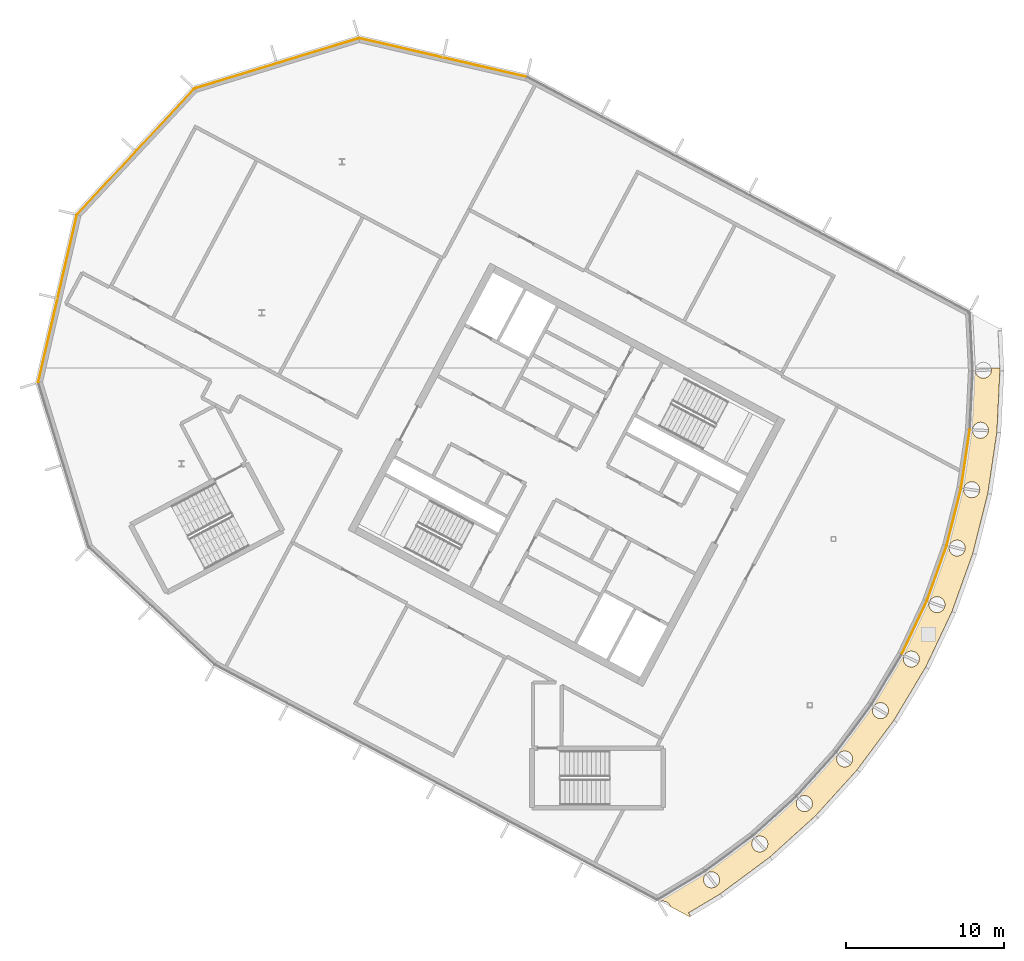
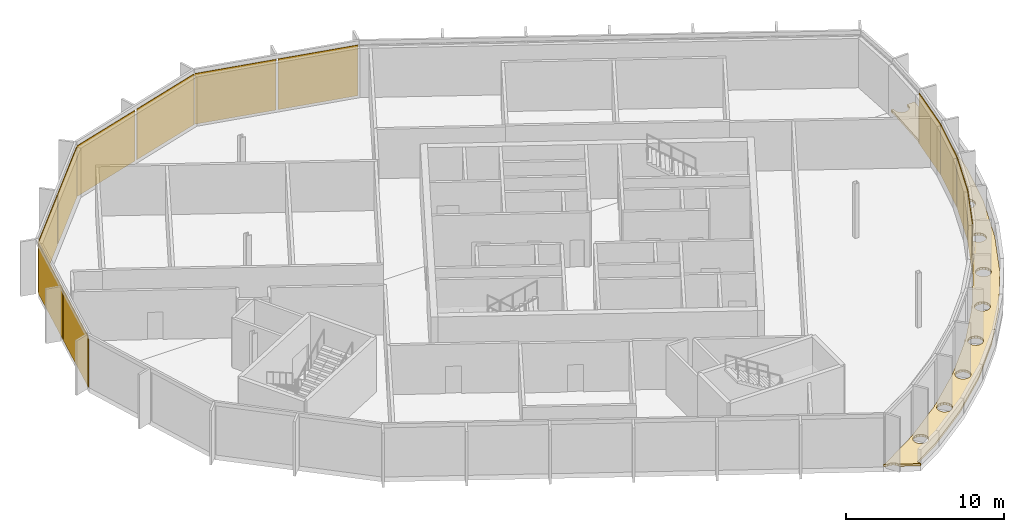
# One storey, part 14 of 16: 13 coverings, 8 elements without a shape of their own.
"""IFC4 building model written with IfcOpenShell, lengths in metres."""

from ifc_helpers import new_model, si_unit, direction, frame, origin, origin_2d, place, context, subcontext, project, spatial, polyline, rectangle, outline, extrude, material, layer, layer_set, type_object, element, aggregate, save


model = new_model("IFC4")

# Units and contexts
model_context = context("Model", 3, precision=1e-05, world=origin(), true_north=direction((0.0, 1.0)))
body_context = subcontext(model_context, "Body", "Model", "MODEL_VIEW")
ifc_project = project(units=[si_unit("LENGTHUNIT", "METRE"), si_unit("AREAUNIT", "SQUARE_METRE"), si_unit("VOLUMEUNIT", "CUBIC_METRE"), si_unit("PLANEANGLEUNIT", "RADIAN"), si_unit("MASSUNIT", "GRAM", prefix="KILO")], contexts=[model_context])

# Site, building, storey
site_placement = place(None, origin())
site = spatial("IfcSite", under=ifc_project, at=site_placement, CompositionType="ELEMENT")
building_placement = place(site_placement, origin())
building = spatial("IfcBuilding", under=site, at=building_placement, Name="Cormorant Relay Tower", CompositionType="ELEMENT")
storey_placement = place(building_placement, frame((0.0, 0.0, 345.0)))
storey = spatial("IfcBuildingStorey", under=building, at=storey_placement, Name="C5", CompositionType="ELEMENT", Elevation=345.0)

# Curtain wall, covering
ifc_material_1 = material(Name="Aluminium 6063-T6 anodised bronze", Category="aluminium")
ifc_layer_1 = layer(ifc_material_1, 0.199951171875)
ifc_layer_set_1 = layer_set([ifc_layer_1], Name="CW3 crown screen wall")
curtain_wall_type = type_object("IfcCurtainWallType", Name="CW3 crown screen wall", PredefinedType="NOTDEFINED", material=ifc_layer_set_1)
curtain_wall_1_placement = place(storey_placement, origin())
curtain_wall_1 = element("IfcCurtainWall", 1, at=curtain_wall_1_placement, inside=storey, type_object=curtain_wall_type, Name="CW3 curtain wall 8", PredefinedType="NOTDEFINED")
ifc_material_2 = material(Name="Perforated bronze anodised aluminium screen", Category="aluminium")
ifc_layer_2 = layer(ifc_material_2, 0.0400390625)
ifc_layer_set_2 = layer_set([ifc_layer_2], Name="CW3 perforated bronze screen panel 40")
covering_type_1 = type_object("IfcCoveringType", Name="CW3 perforated bronze screen panel 40", PredefinedType="CLADDING", material=ifc_layer_set_2)
covering_1_placement = place(storey_placement, frame((-5.38818359375, 4.924072265625, 0.0), z_axis=(0.0, 0.0, 1.0), x_axis=(0.42755509343, 0.903989293123, 0.0)))
covering_1 = element("IfcCovering", 2, at=covering_1_placement, type_object=covering_type_1, Name="CW3 panel X00", PredefinedType="CLADDING", context=body_context, shape_type="SweptSolid", body=[
    extrude(rectangle(XDim=3.654052734375, YDim=0.0400390625, at=origin_2d()), origin(), (0.0, 0.0, 1.0), 3.89990234375),
])
aggregate(curtain_wall_1, [covering_1])

curtain_wall_2_placement = place(storey_placement, origin())
curtain_wall_2 = element("IfcCurtainWall", 3, at=curtain_wall_2_placement, inside=storey, type_object=curtain_wall_type, Name="CW3 curtain wall 9", PredefinedType="NOTDEFINED")
covering_2_placement = place(storey_placement, frame((-3.965576171875, 8.368408203125, 0.0), z_axis=(0.0, 0.0, 1.0), x_axis=(0.336889853392, 0.941544065183, 0.0)))
covering_2 = element("IfcCovering", 4, at=covering_2_placement, type_object=covering_type_1, Name="CW3 panel X00", PredefinedType="CLADDING", context=body_context, shape_type="SweptSolid", body=[
    extrude(rectangle(XDim=3.654052734375, YDim=0.0400390625, at=origin_2d()), origin(), (0.0, 0.0, 1.0), 3.89990234375),
])
aggregate(curtain_wall_2, [covering_2])

curtain_wall_3_placement = place(storey_placement, origin())
curtain_wall_3 = element("IfcCurtainWall", 5, at=curtain_wall_3_placement, inside=storey, type_object=curtain_wall_type, Name="CW3 curtain wall 10", PredefinedType="NOTDEFINED")
covering_3_placement = place(storey_placement, frame((-2.88720703125, 11.935546875, 0.0), z_axis=(0.0, 0.0, 1.0), x_axis=(0.242980179903, 0.970031253195, 0.0)))
covering_3 = element("IfcCovering", 6, at=covering_3_placement, type_object=covering_type_1, Name="CW3 panel X00", PredefinedType="CLADDING", context=body_context, shape_type="SweptSolid", body=[
    extrude(rectangle(XDim=3.654052734375, YDim=0.0400390625, at=origin_2d()), origin(), (0.0, 0.0, 1.0), 3.89990234375),
])
aggregate(curtain_wall_3, [covering_3])

curtain_wall_4_placement = place(storey_placement, origin())
curtain_wall_4 = element("IfcCurtainWall", 7, at=curtain_wall_4_placement, inside=storey, type_object=curtain_wall_type, Name="CW3 curtain wall 11", PredefinedType="NOTDEFINED")
covering_4_placement = place(storey_placement, frame((-2.163818359375, 15.59130859375, 0.0), z_axis=(0.0, 0.0, 1.0), x_axis=(0.146730474455, 0.989176509965, 0.0)))
covering_4 = element("IfcCovering", 8, at=covering_4_placement, type_object=covering_type_1, Name="CW3 panel X00", PredefinedType="CLADDING", context=body_context, shape_type="SweptSolid", body=[
    extrude(rectangle(XDim=3.654052734375, YDim=0.0400390625, at=origin_2d()), origin(), (0.0, 0.0, 1.0), 3.89990234375),
])
aggregate(curtain_wall_4, [covering_4])

# Curtain wall, coverings
curtain_wall_5_placement = place(storey_placement, origin())
curtain_wall_5 = element("IfcCurtainWall", 9, at=curtain_wall_5_placement, inside=storey, type_object=curtain_wall_type, Name="CW3 curtain wall 15", PredefinedType="NOTDEFINED")
covering_5_placement = place(storey_placement, frame((-32.51708984375, 40.298828125, 0.0), z_axis=(0.0, 0.0, 1.0), x_axis=(-0.974370064785, 0.224951054344, 0.0)))
covering_5 = element("IfcCovering", 10, at=covering_5_placement, type_object=covering_type_1, Name="CW3 panel X00", PredefinedType="CLADDING", context=body_context, shape_type="SweptSolid", body=[
    extrude(rectangle(XDim=5.28515625, YDim=0.0400390625, at=origin_2d()), origin(), (0.0, 0.0, 1.0), 3.89990234375),
])
covering_6_placement = place(storey_placement, frame((-37.849609375, 41.530029296875, 0.0), z_axis=(0.0, 0.0, 1.0), x_axis=(-0.974370064785, 0.224951054344, 0.0)))
covering_6 = element("IfcCovering", 11, at=covering_6_placement, type_object=covering_type_1, Name="CW3 panel X01", PredefinedType="CLADDING", context=body_context, shape_type="SweptSolid", body=[
    extrude(rectangle(XDim=5.360107421875, YDim=0.0400390625, at=origin_2d()), origin(), (0.0, 0.0, 1.0), 3.89990234375),
])
aggregate(curtain_wall_5, [covering_5, covering_6])

curtain_wall_6_placement = place(storey_placement, origin())
curtain_wall_6 = element("IfcCurtainWall", 12, at=curtain_wall_6_placement, inside=storey, type_object=curtain_wall_type, Name="CW3 curtain wall 16", PredefinedType="NOTDEFINED")
covering_7_placement = place(storey_placement, frame((-43.0703125, 41.337890625, 0.0), z_axis=(0.0, 0.0, 1.0), x_axis=(-0.956304755963, -0.292371704723, 0.0)))
covering_7 = element("IfcCovering", 13, at=covering_7_placement, type_object=covering_type_1, Name="CW3 panel X00", PredefinedType="CLADDING", context=body_context, shape_type="SweptSolid", body=[
    extrude(rectangle(XDim=5.28515625, YDim=0.0400390625, at=origin_2d()), origin(), (0.0, 0.0, 1.0), 3.89990234375),
])
covering_8_placement = place(storey_placement, frame((-48.3037109375, 39.73779296875, 0.0), z_axis=(0.0, 0.0, 1.0), x_axis=(-0.956304755963, -0.292371704723, 0.0)))
covering_8 = element("IfcCovering", 14, at=covering_8_placement, type_object=covering_type_1, Name="CW3 panel X01", PredefinedType="CLADDING", context=body_context, shape_type="SweptSolid", body=[
    extrude(rectangle(XDim=5.360107421875, YDim=0.0400390625, at=origin_2d()), origin(), (0.0, 0.0, 1.0), 3.89990234375),
])
aggregate(curtain_wall_6, [covering_7, covering_8])

curtain_wall_7_placement = place(storey_placement, origin())
curtain_wall_7 = element("IfcCurtainWall", 15, at=curtain_wall_7_placement, inside=storey, type_object=curtain_wall_type, Name="CW3 curtain wall 17", PredefinedType="NOTDEFINED")
covering_9_placement = place(storey_placement, frame((-52.72900390625, 36.961181640625, 0.0), z_axis=(0.0, 0.0, 1.0), x_axis=(-0.681998360062, -0.731353701619, 0.0)))
covering_9 = element("IfcCovering", 16, at=covering_9_placement, type_object=covering_type_1, Name="CW3 panel X00", PredefinedType="CLADDING", context=body_context, shape_type="SweptSolid", body=[
    extrude(rectangle(XDim=5.28515625, YDim=0.0400390625, at=origin_2d()), origin(), (0.0, 0.0, 1.0), 3.89990234375),
])
covering_10_placement = place(storey_placement, frame((-56.461181640625, 32.958984375, 0.0), z_axis=(0.0, 0.0, 1.0), x_axis=(-0.681998360062, -0.731353701619, 0.0)))
covering_10 = element("IfcCovering", 17, at=covering_10_placement, type_object=covering_type_1, Name="CW3 panel X01", PredefinedType="CLADDING", context=body_context, shape_type="SweptSolid", body=[
    extrude(rectangle(XDim=5.360107421875, YDim=0.0400390625, at=origin_2d()), origin(), (0.0, 0.0, 1.0), 3.89990234375),
])
aggregate(curtain_wall_7, [covering_9, covering_10])

curtain_wall_8_placement = place(storey_placement, origin())
curtain_wall_8 = element("IfcCurtainWall", 18, at=curtain_wall_8_placement, inside=storey, type_object=curtain_wall_type, Name="CW3 curtain wall 18", PredefinedType="NOTDEFINED")
covering_11_placement = place(storey_placement, frame((-58.905517578125, 28.341796875, 0.0), z_axis=(0.0, 0.0, 1.0), x_axis=(-0.224951054344, -0.974370064785, 0.0)))
covering_11 = element("IfcCovering", 19, at=covering_11_placement, type_object=covering_type_1, Name="CW3 panel X00", PredefinedType="CLADDING", context=body_context, shape_type="SweptSolid", body=[
    extrude(rectangle(XDim=5.28515625, YDim=0.0400390625, at=origin_2d()), origin(), (0.0, 0.0, 1.0), 3.89990234375),
])
covering_12_placement = place(storey_placement, frame((-60.136474609375, 23.00927734375, 0.0), z_axis=(0.0, 0.0, 1.0), x_axis=(-0.224951054344, -0.974370064785, 0.0)))
covering_12 = element("IfcCovering", 20, at=covering_12_placement, type_object=covering_type_1, Name="CW3 panel X01", PredefinedType="CLADDING", context=body_context, shape_type="SweptSolid", body=[
    extrude(rectangle(XDim=5.360107421875, YDim=0.0400390625, at=origin_2d()), origin(), (0.0, 0.0, 1.0), 3.89990234375),
])
aggregate(curtain_wall_8, [covering_11, covering_12])

# Covering
ifc_material_3 = material(Name="Bituminous waterproof membrane on mineral wool insulation")
ifc_layer_3 = layer(ifc_material_3, 0.179931640625)
ifc_layer_set_3 = layer_set([ifc_layer_3], Name="Roof membrane and insulation 180")
covering_type_2 = type_object("IfcCoveringType", Name="Roof membrane and insulation 180", PredefinedType="ROOFING", material=ifc_layer_set_3)
covering_13_placement = place(storey_placement, origin())
element("IfcCovering", 21, at=covering_13_placement, inside=storey, type_object=covering_type_2, Name="Roof membrane", PredefinedType="ROOFING", context=body_context, shape_type="SweptSolid", body=[
    extrude(outline(polyline([(-19.579833984375, -13.373291015625), (-20.79931640625, -12.724853515625), (-20.8076171875, -12.68359375), (-20.918212890625, -12.51806640625), (-21.083740234375, -12.407470703125), (-21.27880859375, -12.36865234375), (-21.41748046875, -12.39599609375), (-21.6376953125, -12.279052734375), (-21.58251953125, -12.245849609375), (-21.557373046875, -12.287841796875), (-18.586669921875, -10.50732421875), (-18.6123046875, -10.46435546875), (-18.568115234375, -10.431640625), (-18.5390625, -10.470947265625), (-15.587890625, -8.282470703125), (-15.61767578125, -8.2421875), (-15.576904296875, -8.205078125), (-15.5439453125, -8.241455078125), (-12.821533203125, -5.774169921875), (-12.85498046875, -5.737060546875), (-12.818115234375, -5.6962890625), (-12.781982421875, -5.729248046875), (-10.314453125, -3.0068359375), (-10.3515625, -2.973388671875), (-10.318603515625, -2.92919921875), (-10.279296875, -2.958251953125), (-8.0908203125, -0.007080078125), (-8.130859375, 0.0224609375), (-8.1025390625, 0.06982421875), (-8.060546875, 0.044677734375), (-6.171630859375, 3.196044921875), (-6.214599609375, 3.2216796875), (-6.19091796875, 3.271484375), (-6.146484375, 3.25048828125), (-4.57568359375, 6.57177734375), (-4.62109375, 6.59326171875), (-4.602294921875, 6.64501953125), (-4.55615234375, 6.628662109375), (-3.318603515625, 10.087890625), (-3.365478515625, 10.104736328125), (-3.35205078125, 10.158203125), (-3.3046875, 10.146240234375), (-2.411865234375, 13.710205078125), (-2.460205078125, 13.722412109375), (-2.452392578125, 13.77685546875), (-2.40380859375, 13.769775390625), (-1.86474609375, 17.404052734375), (-1.9140625, 17.411376953125), (-1.911376953125, 17.466552734375), (-1.862548828125, 17.464111328125), (-1.68212890625, 21.1337890625), (-1.732177734375, 21.13623046875), (-1.73486328125, 21.19140625), (-1.685791015625, 21.193603515625), (-1.691162109375, 21.300048828125), (-1.51611328125, 21.300048828125), (-1.543701171875, 21.16064453125), (-1.5048828125, 20.96533203125), (-1.394287109375, 20.7998046875), (-1.228759765625, 20.689208984375), (-1.033447265625, 20.650390625), (-0.83837890625, 20.689208984375), (-0.672607421875, 20.7998046875), (-0.56201171875, 20.96533203125), (-0.523193359375, 21.16064453125), (-0.551025390625, 21.300048828125), (-0.00146484375, 21.300048828125), (0.007080078125, 21.126220703125), (-0.184326171875, 17.23095703125), (-0.756591796875, 13.373291015625), (-1.7041015625, 9.59033203125), (-3.01806640625, 5.91845703125), (-4.685302734375, 2.39306640625), (-6.690185546875, -0.951904296875), (-9.013427734375, -4.08447265625), (-11.632568359375, -6.97412109375), (-14.52197265625, -9.593017578125), (-17.654541015625, -11.916015625), (-19.661376953125, -13.118896484375), (-19.527587890625, -13.342041015625), (-19.579833984375, -13.373291015625)]), holes=[polyline([(-1.216552734375, 16.85693359375), (-1.021240234375, 16.895751953125), (-0.855712890625, 17.00634765625), (-0.7451171875, 17.172119140625), (-0.706298828125, 17.3671875), (-0.7451171875, 17.5625), (-0.855712890625, 17.72802734375), (-1.021240234375, 17.838623046875), (-1.216552734375, 17.87744140625), (-1.41162109375, 17.838623046875), (-1.577392578125, 17.72802734375), (-1.68798828125, 17.5625), (-1.726806640625, 17.3671875), (-1.68798828125, 17.172119140625), (-1.577392578125, 17.00634765625), (-1.41162109375, 16.895751953125), (-1.216552734375, 16.85693359375)]), polyline([(-1.7705078125, 13.099853515625), (-1.5751953125, 13.138671875), (-1.40966796875, 13.249267578125), (-1.299072265625, 13.414794921875), (-1.26025390625, 13.610107421875), (-1.299072265625, 13.805419921875), (-1.40966796875, 13.970947265625), (-1.5751953125, 14.08154296875), (-1.7705078125, 14.120361328125), (-1.965576171875, 14.08154296875), (-2.131103515625, 13.970947265625), (-2.24169921875, 13.805419921875), (-2.280517578125, 13.610107421875), (-2.24169921875, 13.414794921875), (-2.131103515625, 13.249267578125), (-1.965576171875, 13.138671875), (-1.7705078125, 13.099853515625)]), polyline([(-2.68994140625, 9.4150390625), (-2.49462890625, 9.453857421875), (-2.3291015625, 9.564453125), (-2.218505859375, 9.72998046875), (-2.1796875, 9.92529296875), (-2.218505859375, 10.12060546875), (-2.3291015625, 10.2861328125), (-2.49462890625, 10.396728515625), (-2.68994140625, 10.435546875), (-2.885009765625, 10.396728515625), (-3.05078125, 10.2861328125), (-3.161376953125, 10.12060546875), (-3.2001953125, 9.92529296875), (-3.161376953125, 9.72998046875), (-3.05078125, 9.564453125), (-2.885009765625, 9.453857421875), (-2.68994140625, 9.4150390625)]), polyline([(-3.966064453125, 5.838134765625), (-3.77099609375, 5.876953125), (-3.605224609375, 5.987548828125), (-3.49462890625, 6.1533203125), (-3.455810546875, 6.348388671875), (-3.49462890625, 6.543701171875), (-3.605224609375, 6.709228515625), (-3.77099609375, 6.81982421875), (-3.966064453125, 6.858642578125), (-4.161376953125, 6.81982421875), (-4.326904296875, 6.709228515625), (-4.4375, 6.543701171875), (-4.476318359375, 6.348388671875), (-4.4375, 6.1533203125), (-4.326904296875, 5.987548828125), (-4.161376953125, 5.876953125), (-3.966064453125, 5.838134765625)]), polyline([(-5.781982421875, 2.4423828125), (-5.5869140625, 2.40380859375), (-5.3916015625, 2.4423828125), (-5.22607421875, 2.552978515625), (-5.115478515625, 2.71875), (-5.07666015625, 2.913818359375), (-5.115478515625, 3.109130859375), (-5.22607421875, 3.274658203125), (-5.3916015625, 3.38525390625), (-5.5869140625, 3.424072265625), (-5.781982421875, 3.38525390625), (-5.947509765625, 3.274658203125), (-6.05810546875, 3.109130859375), (-6.096923828125, 2.913818359375), (-6.05810546875, 2.71875), (-5.947509765625, 2.552978515625), (-5.781982421875, 2.4423828125)]), polyline([(-7.536376953125, -0.85546875), (-7.34130859375, -0.816650390625), (-7.175537109375, -0.7060546875), (-7.06494140625, -0.54052734375), (-7.026123046875, -0.34521484375), (-7.06494140625, -0.150146484375), (-7.175537109375, 0.015380859375), (-7.34130859375, 0.126220703125), (-7.536376953125, 0.164794921875), (-7.731689453125, 0.126220703125), (-7.897216796875, 0.015380859375), (-8.0078125, -0.150146484375), (-8.046630859375, -0.34521484375), (-8.0078125, -0.54052734375), (-7.897216796875, -0.7060546875), (-7.731689453125, -0.816650390625), (-7.536376953125, -0.85546875)]), polyline([(-9.7958984375, -3.907958984375), (-9.600830078125, -3.869140625), (-9.435302734375, -3.758544921875), (-9.32470703125, -3.593017578125), (-9.285888671875, -3.397705078125), (-9.32470703125, -3.202392578125), (-9.435302734375, -3.036865234375), (-9.600830078125, -2.92626953125), (-9.7958984375, -2.887451171875), (-9.9912109375, -2.92626953125), (-10.15673828125, -3.036865234375), (-10.267333984375, -3.202392578125), (-10.30615234375, -3.397705078125), (-10.267333984375, -3.593017578125), (-10.15673828125, -3.758544921875), (-9.9912109375, -3.869140625), (-9.7958984375, -3.907958984375)]), polyline([(-12.343994140625, -6.72412109375), (-12.148681640625, -6.685302734375), (-11.983154296875, -6.57470703125), (-11.87255859375, -6.4091796875), (-11.833740234375, -6.2138671875), (-11.87255859375, -6.018798828125), (-11.983154296875, -5.85302734375), (-12.148681640625, -5.742431640625), (-12.343994140625, -5.70361328125), (-12.5390625, -5.742431640625), (-12.70458984375, -5.85302734375), (-12.815185546875, -6.018798828125), (-12.85400390625, -6.2138671875), (-12.815185546875, -6.4091796875), (-12.70458984375, -6.57470703125), (-12.5390625, -6.685302734375), (-12.343994140625, -6.72412109375)]), polyline([(-15.155517578125, -9.277099609375), (-14.96044921875, -9.23828125), (-14.794921875, -9.127685546875), (-14.68408203125, -8.9619140625), (-14.6455078125, -8.766845703125), (-14.68408203125, -8.571533203125), (-14.794921875, -8.406005859375), (-14.96044921875, -8.29541015625), (-15.155517578125, -8.256591796875), (-15.350830078125, -8.29541015625), (-15.516357421875, -8.406005859375), (-15.626953125, -8.571533203125), (-15.665771484375, -8.766845703125), (-15.626953125, -8.9619140625), (-15.516357421875, -9.127685546875), (-15.350830078125, -9.23828125), (-15.155517578125, -9.277099609375)]), polyline([(-18.2041015625, -11.5419921875), (-18.0087890625, -11.50341796875), (-17.84326171875, -11.392578125), (-17.732666015625, -11.22705078125), (-17.69384765625, -11.031982421875), (-17.732666015625, -10.836669921875), (-17.84326171875, -10.671142578125), (-18.0087890625, -10.560546875), (-18.2041015625, -10.521728515625), (-18.399169921875, -10.560546875), (-18.564697265625, -10.671142578125), (-18.67529296875, -10.836669921875), (-18.714111328125, -11.031982421875), (-18.67529296875, -11.22705078125), (-18.564697265625, -11.392578125), (-18.399169921875, -11.50341796875), (-18.2041015625, -11.5419921875)])]), origin(), (0.0, 0.0, 1.0), 0.179931640625),
])

save(model, "model.ifc")
